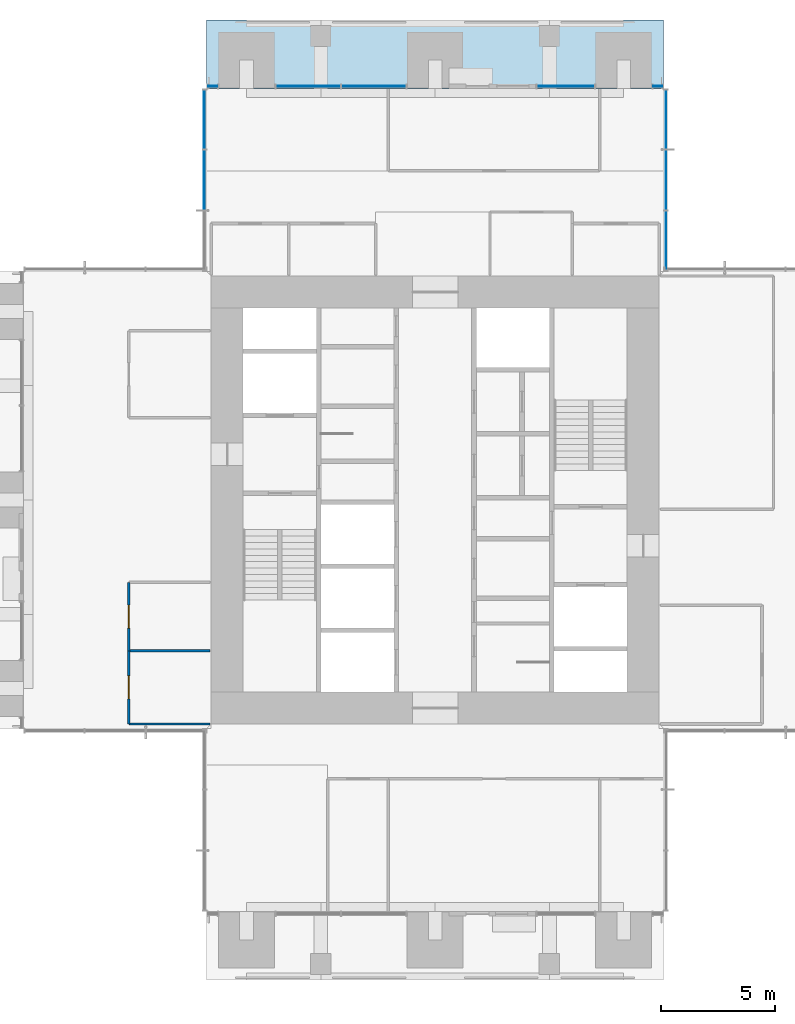
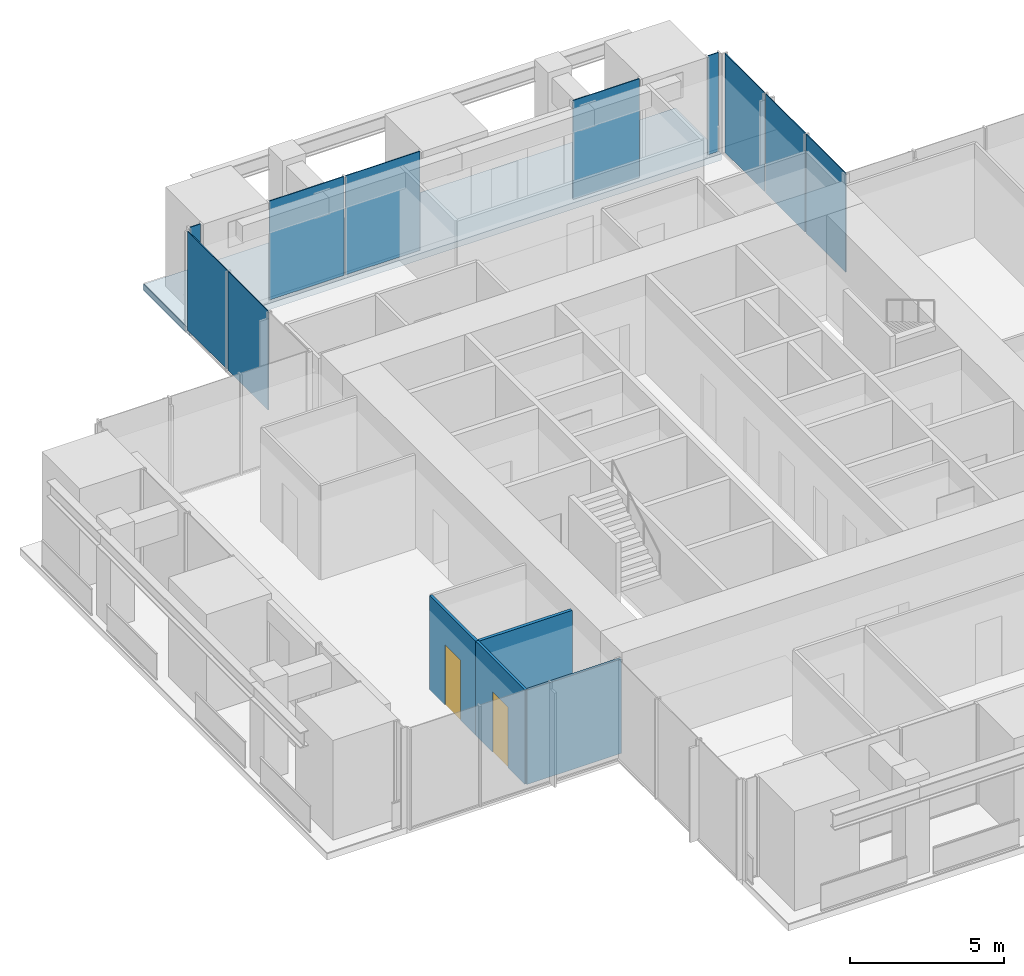
# One storey, part 11 of 17: 10 plates, 4 walls, 2 doors, 1 slab, 2 openings, 6 elements without a shape of their own.
"""IFC4 building model written with IfcOpenShell, lengths in metres."""

from ifc_helpers import new_model, si_unit, direction, frame, frame_2d, origin, origin_2d, place, context, subcontext, project, spatial, polyline, rectangle, outline, extrude, material, layer, layer_set, type_object, element, fill, aggregate, save


model = new_model("IFC4")

# Units and contexts
model_context = context("Model", 3, precision=1e-05, world=origin(), true_north=direction((0.0, 1.0)))
body_context = subcontext(model_context, "Body", "Model", "MODEL_VIEW")
ifc_project = project(units=[si_unit("LENGTHUNIT", "METRE"), si_unit("AREAUNIT", "SQUARE_METRE"), si_unit("VOLUMEUNIT", "CUBIC_METRE"), si_unit("PLANEANGLEUNIT", "RADIAN"), si_unit("MASSUNIT", "GRAM", prefix="KILO")], contexts=[model_context])

# Site, building, storey
site_placement = place(None, origin())
site = spatial("IfcSite", under=ifc_project, at=site_placement, CompositionType="ELEMENT")
building_placement = place(site_placement, origin())
building = spatial("IfcBuilding", under=site, at=building_placement, Name="Svetlomir Tower", CompositionType="ELEMENT")
storey_placement = place(building_placement, frame((0.0, 0.0, 218.5)))
storey = spatial("IfcBuildingStorey", under=building, at=storey_placement, Name="L52", CompositionType="ELEMENT", Elevation=218.5)

# Curtain wall, plates
ifc_material_1 = material(Name="Bronze anodised aluminium curtain wall", Category="aluminium")
curtain_wall_type = type_object("IfcCurtainWallType", Name="CURTAIN WALL CW1 TOWER OFFICE", PredefinedType="NOTDEFINED", material=ifc_material_1)
curtain_wall_1_placement = place(storey_placement, origin())
curtain_wall_1 = element("IfcCurtainWall", 1, at=curtain_wall_1_placement, inside=storey, type_object=curtain_wall_type, Name="Curtain wall CW1 L52", PredefinedType="NOTDEFINED")
ifc_material_2 = material(Name="Tinted double glazed unit", Category="glass")
ifc_layer_1 = layer(ifc_material_2, 0.031982421875)
ifc_layer_set_1 = layer_set([ifc_layer_1], Name="Tinted double glazed unit")
plate_type = type_object("IfcPlateType", Name="CW1 GLAZED PANEL 32", PredefinedType="CURTAIN_PANEL", material=ifc_layer_set_1)
plate_1_placement = place(storey_placement, frame((31.10009765625, 32.349609375, 0.06494140625), z_axis=(0.0, 0.0, 1.0), x_axis=(0.0, 1.0, 0.0)))
plate_1 = element("IfcPlate", 2, at=plate_1_placement, type_object=plate_type, Name="CW1 panel 1.1", PredefinedType="CURTAIN_PANEL", context=body_context, shape_type="SweptSolid", body=[
    extrude(rectangle(XDim=2.569091796875, YDim=0.031982421875, at=origin_2d()), origin(), (0.0, 0.0, 1.0), 3.93505859375),
])
plate_2_placement = place(storey_placement, frame((31.10009765625, 35.0, 0.06494140625), z_axis=(0.0, 0.0, 1.0), x_axis=(0.0, 1.0, 0.0)))
plate_2 = element("IfcPlate", 3, at=plate_2_placement, type_object=plate_type, Name="CW1 panel 2.1", PredefinedType="CURTAIN_PANEL", context=body_context, shape_type="SweptSolid", body=[
    extrude(rectangle(XDim=2.6015625, YDim=0.031982421875, at=origin_2d()), origin(), (0.0, 0.0, 1.0), 3.93505859375),
])
plate_3_placement = place(storey_placement, frame((31.10009765625, 37.650390625, 0.06494140625), z_axis=(0.0, 0.0, 1.0), x_axis=(0.0, 1.0, 0.0)))
plate_3 = element("IfcPlate", 4, at=plate_3_placement, type_object=plate_type, Name="CW1 panel 3.1", PredefinedType="CURTAIN_PANEL", context=body_context, shape_type="SweptSolid", body=[
    extrude(rectangle(XDim=2.569091796875, YDim=0.031982421875, at=origin_2d()), origin(), (0.0, 0.0, 1.0), 3.93505859375),
])
aggregate(curtain_wall_1, [plate_1, plate_2, plate_3])

# Curtain wall, plate
curtain_wall_2_placement = place(storey_placement, origin())
curtain_wall_2 = element("IfcCurtainWall", 5, at=curtain_wall_2_placement, inside=storey, type_object=curtain_wall_type, Name="Curtain wall CW1 L52", PredefinedType="NOTDEFINED")
plate_4_placement = place(storey_placement, frame((30.737548828125, 39.10009765625, 0.06494140625), z_axis=(0.0, 0.0, 1.0), x_axis=(-1.0, 0.0, 0.0)))
plate_4 = element("IfcPlate", 6, at=plate_4_placement, type_object=plate_type, Name="CW1 panel 1.1", PredefinedType="CURTAIN_PANEL", context=body_context, shape_type="SweptSolid", body=[
    extrude(rectangle(XDim=0.39501953125, YDim=0.031982421875, at=origin_2d()), origin(), (0.0, 0.0, 1.0), 3.93505859375),
])
aggregate(curtain_wall_2, [plate_4])

curtain_wall_3_placement = place(storey_placement, origin())
curtain_wall_3 = element("IfcCurtainWall", 7, at=curtain_wall_3_placement, inside=storey, type_object=curtain_wall_type, Name="Curtain wall CW1 L52", PredefinedType="NOTDEFINED")
plate_5_placement = place(storey_placement, frame((26.71240234375, 39.10009765625, 0.06494140625), z_axis=(0.0, 0.0, 1.0), x_axis=(-1.0, 0.0, 0.0)))
plate_5 = element("IfcPlate", 8, at=plate_5_placement, type_object=plate_type, Name="CW1 panel 1.1", PredefinedType="CURTAIN_PANEL", context=body_context, shape_type="SweptSolid", body=[
    extrude(rectangle(XDim=2.4951171875, YDim=0.031982421875, at=origin_2d()), origin(), (0.0, 0.0, 1.0), 3.93505859375),
])
aggregate(curtain_wall_3, [plate_5])

# Curtain wall, plates
curtain_wall_4_placement = place(storey_placement, origin())
curtain_wall_4 = element("IfcCurtainWall", 9, at=curtain_wall_4_placement, inside=storey, type_object=curtain_wall_type, Name="Curtain wall CW1 L52", PredefinedType="NOTDEFINED")
plate_6_placement = place(storey_placement, frame((18.308837890625, 39.10009765625, 0.06494140625), z_axis=(0.0, 0.0, 1.0), x_axis=(-1.0, 0.0, 0.0)))
plate_6 = element("IfcPlate", 10, at=plate_6_placement, type_object=plate_type, Name="CW1 panel 1.1", PredefinedType="CURTAIN_PANEL", context=body_context, shape_type="SweptSolid", body=[
    extrude(rectangle(XDim=2.802490234375, YDim=0.031982421875, at=origin_2d()), origin(), (0.0, 0.0, 1.0), 3.93505859375),
])
plate_7_placement = place(storey_placement, frame((15.441162109375, 39.10009765625, 0.06494140625), z_axis=(0.0, 0.0, 1.0), x_axis=(-1.0, 0.0, 0.0)))
plate_7 = element("IfcPlate", 11, at=plate_7_placement, type_object=plate_type, Name="CW1 panel 2.1", PredefinedType="CURTAIN_PANEL", context=body_context, shape_type="SweptSolid", body=[
    extrude(rectangle(XDim=2.802490234375, YDim=0.031982421875, at=origin_2d()), origin(), (0.0, 0.0, 1.0), 3.93505859375),
])
aggregate(curtain_wall_4, [plate_6, plate_7])

# Curtain wall, plate
curtain_wall_5_placement = place(storey_placement, origin())
curtain_wall_5 = element("IfcCurtainWall", 12, at=curtain_wall_5_placement, inside=storey, type_object=curtain_wall_type, Name="Curtain wall CW1 L52", PredefinedType="NOTDEFINED")
plate_8_placement = place(storey_placement, frame((11.262451171875, 39.10009765625, 0.06494140625), z_axis=(0.0, 0.0, 1.0), x_axis=(-1.0, 0.0, 0.0)))
plate_8 = element("IfcPlate", 13, at=plate_8_placement, type_object=plate_type, Name="CW1 panel 1.1", PredefinedType="CURTAIN_PANEL", context=body_context, shape_type="SweptSolid", body=[
    extrude(rectangle(XDim=0.39501953125, YDim=0.031982421875, at=origin_2d()), origin(), (0.0, 0.0, 1.0), 3.93505859375),
])
aggregate(curtain_wall_5, [plate_8])

# Curtain wall, plates
curtain_wall_6_placement = place(storey_placement, origin())
curtain_wall_6 = element("IfcCurtainWall", 14, at=curtain_wall_6_placement, inside=storey, type_object=curtain_wall_type, Name="Curtain wall CW1 L52", PredefinedType="NOTDEFINED")
plate_9_placement = place(storey_placement, frame((10.89990234375, 37.650390625, 0.06494140625), z_axis=(0.0, 0.0, 1.0), x_axis=(0.0, -1.0, 0.0)))
plate_9 = element("IfcPlate", 15, at=plate_9_placement, type_object=plate_type, Name="CW1 panel 1.1", PredefinedType="CURTAIN_PANEL", context=body_context, shape_type="SweptSolid", body=[
    extrude(rectangle(XDim=2.569091796875, YDim=0.031982421875, at=origin_2d()), origin(), (0.0, 0.0, 1.0), 3.93505859375),
])
plate_10_placement = place(storey_placement, frame((10.89990234375, 35.0, 0.06494140625), z_axis=(0.0, 0.0, 1.0), x_axis=(0.0, -1.0, 0.0)))
plate_10 = element("IfcPlate", 16, at=plate_10_placement, type_object=plate_type, Name="CW1 panel 2.1", PredefinedType="CURTAIN_PANEL", context=body_context, shape_type="SweptSolid", body=[
    extrude(rectangle(XDim=2.6015625, YDim=0.031982421875, at=origin_2d()), origin(), (0.0, 0.0, 1.0), 3.93505859375),
])
aggregate(curtain_wall_6, [plate_9, plate_10])

# Slab
ifc_material_3 = material(Name="Concrete C60/75", Category="concrete")
ifc_layer_2 = layer(ifc_material_3, 0.25)
ifc_layer_set_2 = layer_set([ifc_layer_2], Name="Concrete C60/75")
slab_type = type_object("IfcSlabType", Name="PLANTED LOGGIA SLAB 250", PredefinedType="FLOOR", material=ifc_layer_set_2)
slab_placement = place(storey_placement, frame((0.0, 0.0, -0.25)))
element("IfcSlab", 17, at=slab_placement, inside=storey, type_object=slab_type, Name="L52 N planted loggia", PredefinedType="FLOOR", context=body_context, shape_type="SweptSolid", body=[
    extrude(outline(polyline([(11.0, 39.0), (31.0, 39.0), (31.0, 42.0), (11.0, 42.0), (11.0, 39.0)])), origin(), (0.0, 0.0, 1.0), 0.25),
])

# Wall, opening, door
ifc_material_4 = material(Name="Framed laminated glass partition", Category="glass")
ifc_layer_3 = layer(ifc_material_4, 0.10009765625)
ifc_layer_set_3 = layer_set([ifc_layer_3], Name="Framed laminated glass partition")
wall_type_1 = type_object("IfcWallType", Name="GLAZED PARTITION 100", PredefinedType="PARTITIONING", material=ifc_layer_set_3)
wall_1_placement = place(storey_placement, frame((7.60009765625, 11.199951171875, 0.0), z_axis=(0.0, 0.0, 1.0), x_axis=(0.0, 1.0, 0.0)))
wall_1 = element("IfcWall", 18, at=wall_1_placement, inside=storey, type_object=wall_type_1, Name="Glazed partition L52", PredefinedType="PARTITIONING", context=body_context, shape_type="SweptSolid", body=[
    extrude(rectangle(XDim=3.199951171875, YDim=0.10009765625, at=frame_2d((1.60009765625, 0.0))), origin(), (0.0, 0.0, 1.0), 3.75),
])
opening_1_placement = place(wall_1_placement, frame((1.10009765625, 0.0, 0.0)))
opening_1 = element("IfcOpeningElement", 19, at=opening_1_placement, cuts=wall_1, Name="Opening DG", PredefinedType="OPENING", context=body_context, shape_type="SweptSolid", body=[
    extrude(rectangle(XDim=1.0, YDim=2.39990234375, at=frame_2d((0.5, 1.199951171875))), frame((0.0, 0.06005859375, 0.0), z_axis=(0.0, -1.0, 0.0), x_axis=(1.0, 0.0, 0.0)), (0.0, 0.0, 1.0), 0.1201171875),
])
ifc_material_5 = material(Name="Framed laminated glass door", Category="glass")
door_type = type_object("IfcDoorType", Name="GLAZED DOOR DG 1000x2400", OperationType="SINGLE_SWING_LEFT", PredefinedType="DOOR", material=ifc_material_5)
door_1_placement = place(opening_1_placement, origin())
door_1 = element("IfcDoor", 20, at=door_1_placement, inside=storey, type_object=door_type, Name="Meeting room, 4 seats door L52", OperationType="SINGLE_SWING_LEFT", OverallHeight=2.39990234375, OverallWidth=1.0, PredefinedType="DOOR", context=body_context, shape_type="SweptSolid", body=[
    extrude(rectangle(XDim=1.0, YDim=2.39990234375, at=frame_2d((0.5, 1.199951171875))), frame((0.0, 0.02490234375, 0.0), z_axis=(0.0, -1.0, 0.0), x_axis=(1.0, 0.0, 0.0)), (0.0, 0.0, 1.0), 0.050048828125),
])
fill(opening_1, door_1)

# Wall
wall_2_placement = place(storey_placement, frame((7.60009765625, 11.199951171875, 0.0), z_axis=(0.0, 0.0, 1.0), x_axis=(1.0, 0.0, 0.0)))
element("IfcWall", 21, at=wall_2_placement, inside=storey, type_object=wall_type_1, Name="Glazed partition L52", PredefinedType="PARTITIONING", context=body_context, shape_type="SweptSolid", body=[
    extrude(rectangle(XDim=3.5498046875, YDim=0.10009765625, at=frame_2d((1.77490234375, 0.0))), origin(), (0.0, 0.0, 1.0), 3.75),
])

# Wall, opening, door
wall_3_placement = place(storey_placement, frame((7.60009765625, 14.39990234375, 0.0), z_axis=(0.0, 0.0, 1.0), x_axis=(0.0, 1.0, 0.0)))
wall_3 = element("IfcWall", 22, at=wall_3_placement, inside=storey, type_object=wall_type_1, Name="Glazed partition L52", PredefinedType="PARTITIONING", context=body_context, shape_type="SweptSolid", body=[
    extrude(rectangle(XDim=3.0, YDim=0.10009765625, at=frame_2d((1.5, 0.0))), origin(), (0.0, 0.0, 1.0), 3.75),
])
opening_2_placement = place(wall_3_placement, frame((1.0, 0.0, 0.0)))
opening_2 = element("IfcOpeningElement", 23, at=opening_2_placement, cuts=wall_3, Name="Opening DG", PredefinedType="OPENING", context=body_context, shape_type="SweptSolid", body=[
    extrude(rectangle(XDim=1.0, YDim=2.39990234375, at=frame_2d((0.5, 1.199951171875))), frame((0.0, 0.06005859375, 0.0), z_axis=(0.0, -1.0, 0.0), x_axis=(1.0, 0.0, 0.0)), (0.0, 0.0, 1.0), 0.1201171875),
])
door_2_placement = place(opening_2_placement, origin())
door_2 = element("IfcDoor", 24, at=door_2_placement, inside=storey, type_object=door_type, Name="Focus room door L52", OperationType="SINGLE_SWING_RIGHT", OverallHeight=2.39990234375, OverallWidth=1.0, PredefinedType="DOOR", context=body_context, shape_type="SweptSolid", body=[
    extrude(rectangle(XDim=1.0, YDim=2.39990234375, at=frame_2d((0.5, 1.199951171875))), frame((0.0, 0.02490234375, 0.0), z_axis=(0.0, -1.0, 0.0), x_axis=(1.0, 0.0, 0.0)), (0.0, 0.0, 1.0), 0.050048828125),
])
fill(opening_2, door_2)

# Wall
ifc_material_6 = material(Name="Gypsum board on steel studs", Category="steel")
ifc_layer_4 = layer(ifc_material_6, 0.1201171875)
ifc_layer_set_4 = layer_set([ifc_layer_4], Name="Gypsum board on steel studs")
wall_type_2 = type_object("IfcWallType", Name="PARTITION 120", PredefinedType="PARTITIONING", material=ifc_layer_set_4)
wall_4_placement = place(storey_placement, frame((7.60009765625, 14.39990234375, 0.0), z_axis=(0.0, 0.0, 1.0), x_axis=(1.0, 0.0, 0.0)))
element("IfcWall", 25, at=wall_4_placement, inside=storey, type_object=wall_type_2, Name="Partition L52", PredefinedType="PARTITIONING", context=body_context, shape_type="SweptSolid", body=[
    extrude(rectangle(XDim=3.5498046875, YDim=0.1201171875, at=frame_2d((1.77490234375, 0.0))), origin(), (0.0, 0.0, 1.0), 3.75),
])

save(model, "model.ifc")
